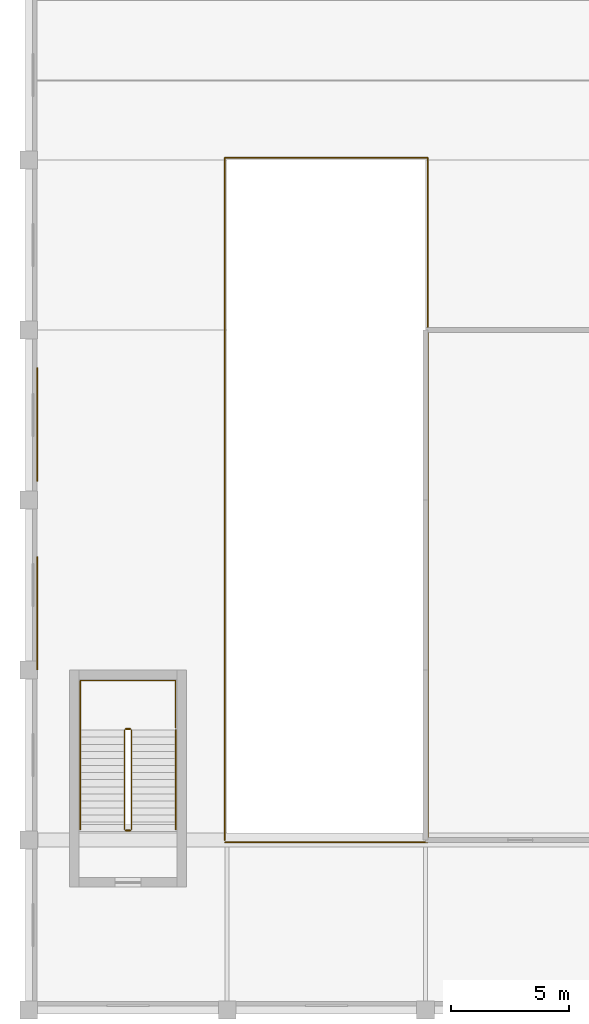
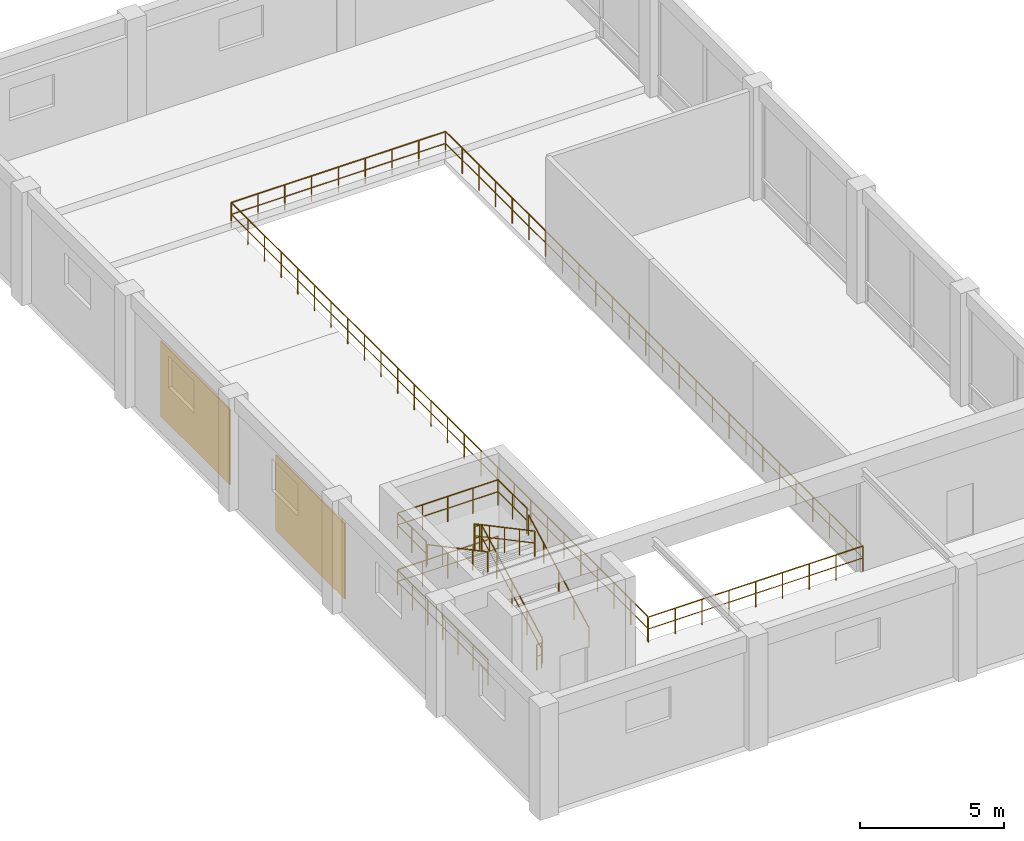
# One storey, part 44 of 52: 9 railings, 2 coverings.
"""IFC4 building model written with IfcOpenShell, lengths in metres."""

from ifc_helpers import new_model, si_unit, direction, frame, origin, origin_2d, place, context, subcontext, project, spatial, rectangle, circle, extrude, material, layer, layer_set, type_object, element, save


model = new_model("IFC4")

# Units and contexts
model_context = context("Model", 3, precision=1e-05, world=origin(), true_north=direction((0.0, 1.0)))
body_context = subcontext(model_context, "Body", "Model", "MODEL_VIEW")
ifc_project = project(units=[si_unit("LENGTHUNIT", "METRE"), si_unit("AREAUNIT", "SQUARE_METRE"), si_unit("VOLUMEUNIT", "CUBIC_METRE"), si_unit("PLANEANGLEUNIT", "RADIAN"), si_unit("MASSUNIT", "GRAM", prefix="KILO")], contexts=[model_context])

# Site, building, storey
site_placement = place(None, origin())
site = spatial("IfcSite", under=ifc_project, at=site_placement, CompositionType="ELEMENT")
building_placement = place(site_placement, origin())
building = spatial("IfcBuilding", under=site, at=building_placement, Name="Kenerak Square Central Library", CompositionType="ELEMENT")
storey_placement = place(building_placement, frame((0.0, 0.0, 4.800048828125)))
storey = spatial("IfcBuildingStorey", under=building, at=storey_placement, Name="L01", CompositionType="ELEMENT", Elevation=4.800048828125)

# Railing
ifc_material_1 = material(Name="Steel S355", Category="steel")
railing_type_1 = type_object("IfcRailingType", Name="Atrium Glazed Balustrade BL-1100 S355", PredefinedType="BALUSTRADE", material=ifc_material_1)
railing_1_placement = place(storey_placement, frame((16.300048828125, 38.300048828125, 0.0)))
element("IfcRailing", 1, at=railing_1_placement, inside=storey, type_object=railing_type_1, Name="Auditorium Gallery Balustrade L01", PredefinedType="BALUSTRADE", context=body_context, shape_type="SweptSolid", body=[
    extrude(circle(Radius=0.02392578125, at=origin_2d()), frame((0.0, 0.0, 1.076171875), z_axis=(1.0, 0.0, 0.0), x_axis=(0.0, 1.0, 0.0)), (0.0, 0.0, 1.0), 8.599853515625),
    extrude(circle(Radius=0.01806640625, at=origin_2d()), frame((0.0, 0.0, 0.572021484375), z_axis=(1.0, 0.0, 0.0), x_axis=(0.0, 1.0, 0.0)), (0.0, 0.0, 1.0), 8.599853515625),
    extrude(circle(Radius=0.02392578125, at=origin_2d()), frame((8.599853515625, 0.0, 1.076171875), z_axis=(0.0, 1.0, 0.0), x_axis=(-1.0, 0.0, 0.0)), (0.0, 0.0, 1.0), 29.0),
    extrude(circle(Radius=0.01806640625, at=origin_2d()), frame((8.599853515625, 0.0, 0.572021484375), z_axis=(0.0, 1.0, 0.0), x_axis=(-1.0, 0.0, 0.0)), (0.0, 0.0, 1.0), 29.0),
    extrude(circle(Radius=0.02392578125, at=origin_2d()), frame((8.599853515625, 29.0, 1.076171875), z_axis=(-1.0, 0.0, 0.0), x_axis=(0.0, -1.0, 0.0)), (0.0, 0.0, 1.0), 8.599853515625),
    extrude(circle(Radius=0.01806640625, at=origin_2d()), frame((8.599853515625, 29.0, 0.572021484375), z_axis=(-1.0, 0.0, 0.0), x_axis=(0.0, -1.0, 0.0)), (0.0, 0.0, 1.0), 8.599853515625),
    extrude(circle(Radius=0.02392578125, at=origin_2d()), frame((0.0, 29.0, 1.076171875), z_axis=(0.0, -1.0, 0.0), x_axis=(1.0, 0.0, 0.0)), (0.0, 0.0, 1.0), 28.920166015625),
    extrude(circle(Radius=0.01806640625, at=origin_2d()), frame((0.0, 29.0, 0.572021484375), z_axis=(0.0, -1.0, 0.0), x_axis=(1.0, 0.0, 0.0)), (0.0, 0.0, 1.0), 28.920166015625),
    extrude(circle(Radius=0.02099609375, at=origin_2d()), origin(), (0.0, 0.0, 1.0), 1.052001953125),
    extrude(circle(Radius=0.02099609375, at=origin_2d()), frame((1.074951171875, 0.0, 0.0)), (0.0, 0.0, 1.0), 1.052001953125),
    extrude(circle(Radius=0.02099609375, at=origin_2d()), frame((2.14990234375, 0.0, 0.0)), (0.0, 0.0, 1.0), 1.052001953125),
    extrude(circle(Radius=0.02099609375, at=origin_2d()), frame((3.224853515625, 0.0, 0.0)), (0.0, 0.0, 1.0), 1.052001953125),
    extrude(circle(Radius=0.02099609375, at=origin_2d()), frame((4.2998046875, 0.0, 0.0)), (0.0, 0.0, 1.0), 1.052001953125),
    extrude(circle(Radius=0.02099609375, at=origin_2d()), frame((5.375, 0.0, 0.0)), (0.0, 0.0, 1.0), 1.052001953125),
    extrude(circle(Radius=0.02099609375, at=origin_2d()), frame((6.449951171875, 0.0, 0.0)), (0.0, 0.0, 1.0), 1.052001953125),
    extrude(circle(Radius=0.02099609375, at=origin_2d()), frame((7.52490234375, 0.0, 0.0)), (0.0, 0.0, 1.0), 1.052001953125),
    extrude(circle(Radius=0.02099609375, at=origin_2d()), frame((8.599853515625, 0.0, 0.0)), (0.0, 0.0, 1.0), 1.052001953125),
    extrude(circle(Radius=0.02099609375, at=origin_2d()), frame((8.599853515625, 1.159912109375, 0.0)), (0.0, 0.0, 1.0), 1.052001953125),
    extrude(circle(Radius=0.02099609375, at=origin_2d()), frame((8.599853515625, 2.320068359375, 0.0)), (0.0, 0.0, 1.0), 1.052001953125),
    extrude(circle(Radius=0.02099609375, at=origin_2d()), frame((8.599853515625, 3.47998046875, 0.0)), (0.0, 0.0, 1.0), 1.052001953125),
    extrude(circle(Radius=0.02099609375, at=origin_2d()), frame((8.599853515625, 4.639892578125, 0.0)), (0.0, 0.0, 1.0), 1.052001953125),
    extrude(circle(Radius=0.02099609375, at=origin_2d()), frame((8.599853515625, 5.800048828125, 0.0)), (0.0, 0.0, 1.0), 1.052001953125),
    extrude(circle(Radius=0.02099609375, at=origin_2d()), frame((8.599853515625, 6.9599609375, 0.0)), (0.0, 0.0, 1.0), 1.052001953125),
    extrude(circle(Radius=0.02099609375, at=origin_2d()), frame((8.599853515625, 8.1201171875, 0.0)), (0.0, 0.0, 1.0), 1.052001953125),
    extrude(circle(Radius=0.02099609375, at=origin_2d()), frame((8.599853515625, 9.280029296875, 0.0)), (0.0, 0.0, 1.0), 1.052001953125),
    extrude(circle(Radius=0.02099609375, at=origin_2d()), frame((8.599853515625, 10.43994140625, 0.0)), (0.0, 0.0, 1.0), 1.052001953125),
    extrude(circle(Radius=0.02099609375, at=origin_2d()), frame((8.599853515625, 11.60009765625, 0.0)), (0.0, 0.0, 1.0), 1.052001953125),
    extrude(circle(Radius=0.02099609375, at=origin_2d()), frame((8.599853515625, 12.760009765625, 0.0)), (0.0, 0.0, 1.0), 1.052001953125),
    extrude(circle(Radius=0.02099609375, at=origin_2d()), frame((8.599853515625, 13.919921875, 0.0)), (0.0, 0.0, 1.0), 1.052001953125),
    extrude(circle(Radius=0.02099609375, at=origin_2d()), frame((8.599853515625, 15.080078125, 0.0)), (0.0, 0.0, 1.0), 1.052001953125),
    extrude(circle(Radius=0.02099609375, at=origin_2d()), frame((8.599853515625, 16.239990234375, 0.0)), (0.0, 0.0, 1.0), 1.052001953125),
    extrude(circle(Radius=0.02099609375, at=origin_2d()), frame((8.599853515625, 17.39990234375, 0.0)), (0.0, 0.0, 1.0), 1.052001953125),
    extrude(circle(Radius=0.02099609375, at=origin_2d()), frame((8.599853515625, 18.56005859375, 0.0)), (0.0, 0.0, 1.0), 1.052001953125),
    extrude(circle(Radius=0.02099609375, at=origin_2d()), frame((8.599853515625, 19.719970703125, 0.0)), (0.0, 0.0, 1.0), 1.052001953125),
    extrude(circle(Radius=0.02099609375, at=origin_2d()), frame((8.599853515625, 20.8798828125, 0.0)), (0.0, 0.0, 1.0), 1.052001953125),
    extrude(circle(Radius=0.02099609375, at=origin_2d()), frame((8.599853515625, 22.0400390625, 0.0)), (0.0, 0.0, 1.0), 1.052001953125),
    extrude(circle(Radius=0.02099609375, at=origin_2d()), frame((8.599853515625, 23.199951171875, 0.0)), (0.0, 0.0, 1.0), 1.052001953125),
    extrude(circle(Radius=0.02099609375, at=origin_2d()), frame((8.599853515625, 24.360107421875, 0.0)), (0.0, 0.0, 1.0), 1.052001953125),
    extrude(circle(Radius=0.02099609375, at=origin_2d()), frame((8.599853515625, 25.52001953125, 0.0)), (0.0, 0.0, 1.0), 1.052001953125),
    extrude(circle(Radius=0.02099609375, at=origin_2d()), frame((8.599853515625, 26.679931640625, 0.0)), (0.0, 0.0, 1.0), 1.052001953125),
    extrude(circle(Radius=0.02099609375, at=origin_2d()), frame((8.599853515625, 27.840087890625, 0.0)), (0.0, 0.0, 1.0), 1.052001953125),
    extrude(circle(Radius=0.02099609375, at=origin_2d()), frame((8.599853515625, 29.0, 0.0)), (0.0, 0.0, 1.0), 1.052001953125),
    extrude(circle(Radius=0.02099609375, at=origin_2d()), frame((7.52490234375, 29.0, 0.0)), (0.0, 0.0, 1.0), 1.052001953125),
    extrude(circle(Radius=0.02099609375, at=origin_2d()), frame((6.449951171875, 29.0, 0.0)), (0.0, 0.0, 1.0), 1.052001953125),
    extrude(circle(Radius=0.02099609375, at=origin_2d()), frame((5.375, 29.0, 0.0)), (0.0, 0.0, 1.0), 1.052001953125),
    extrude(circle(Radius=0.02099609375, at=origin_2d()), frame((4.2998046875, 29.0, 0.0)), (0.0, 0.0, 1.0), 1.052001953125),
    extrude(circle(Radius=0.02099609375, at=origin_2d()), frame((3.224853515625, 29.0, 0.0)), (0.0, 0.0, 1.0), 1.052001953125),
    extrude(circle(Radius=0.02099609375, at=origin_2d()), frame((2.14990234375, 29.0, 0.0)), (0.0, 0.0, 1.0), 1.052001953125),
    extrude(circle(Radius=0.02099609375, at=origin_2d()), frame((1.074951171875, 29.0, 0.0)), (0.0, 0.0, 1.0), 1.052001953125),
    extrude(circle(Radius=0.02099609375, at=origin_2d()), frame((0.0, 29.0, 0.0)), (0.0, 0.0, 1.0), 1.052001953125),
    extrude(circle(Radius=0.02099609375, at=origin_2d()), frame((0.0, 27.84326171875, 0.0)), (0.0, 0.0, 1.0), 1.052001953125),
    extrude(circle(Radius=0.02099609375, at=origin_2d()), frame((0.0, 26.686279296875, 0.0)), (0.0, 0.0, 1.0), 1.052001953125),
    extrude(circle(Radius=0.02099609375, at=origin_2d()), frame((0.0, 25.529541015625, 0.0)), (0.0, 0.0, 1.0), 1.052001953125),
    extrude(circle(Radius=0.02099609375, at=origin_2d()), frame((0.0, 24.372802734375, 0.0)), (0.0, 0.0, 1.0), 1.052001953125),
    extrude(circle(Radius=0.02099609375, at=origin_2d()), frame((0.0, 23.216064453125, 0.0)), (0.0, 0.0, 1.0), 1.052001953125),
    extrude(circle(Radius=0.02099609375, at=origin_2d()), frame((0.0, 22.05908203125, 0.0)), (0.0, 0.0, 1.0), 1.052001953125),
    extrude(circle(Radius=0.02099609375, at=origin_2d()), frame((0.0, 20.90234375, 0.0)), (0.0, 0.0, 1.0), 1.052001953125),
    extrude(circle(Radius=0.02099609375, at=origin_2d()), frame((0.0, 19.74560546875, 0.0)), (0.0, 0.0, 1.0), 1.052001953125),
    extrude(circle(Radius=0.02099609375, at=origin_2d()), frame((0.0, 18.588623046875, 0.0)), (0.0, 0.0, 1.0), 1.052001953125),
    extrude(circle(Radius=0.02099609375, at=origin_2d()), frame((0.0, 17.431884765625, 0.0)), (0.0, 0.0, 1.0), 1.052001953125),
    extrude(circle(Radius=0.02099609375, at=origin_2d()), frame((0.0, 16.275146484375, 0.0)), (0.0, 0.0, 1.0), 1.052001953125),
    extrude(circle(Radius=0.02099609375, at=origin_2d()), frame((0.0, 15.118408203125, 0.0)), (0.0, 0.0, 1.0), 1.052001953125),
    extrude(circle(Radius=0.02099609375, at=origin_2d()), frame((0.0, 13.96142578125, 0.0)), (0.0, 0.0, 1.0), 1.052001953125),
    extrude(circle(Radius=0.02099609375, at=origin_2d()), frame((0.0, 12.8046875, 0.0)), (0.0, 0.0, 1.0), 1.052001953125),
    extrude(circle(Radius=0.02099609375, at=origin_2d()), frame((0.0, 11.64794921875, 0.0)), (0.0, 0.0, 1.0), 1.052001953125),
    extrude(circle(Radius=0.02099609375, at=origin_2d()), frame((0.0, 10.4912109375, 0.0)), (0.0, 0.0, 1.0), 1.052001953125),
    extrude(circle(Radius=0.02099609375, at=origin_2d()), frame((0.0, 9.334228515625, 0.0)), (0.0, 0.0, 1.0), 1.052001953125),
    extrude(circle(Radius=0.02099609375, at=origin_2d()), frame((0.0, 8.177490234375, 0.0)), (0.0, 0.0, 1.0), 1.052001953125),
    extrude(circle(Radius=0.02099609375, at=origin_2d()), frame((0.0, 7.020751953125, 0.0)), (0.0, 0.0, 1.0), 1.052001953125),
    extrude(circle(Radius=0.02099609375, at=origin_2d()), frame((0.0, 5.86376953125, 0.0)), (0.0, 0.0, 1.0), 1.052001953125),
    extrude(circle(Radius=0.02099609375, at=origin_2d()), frame((0.0, 4.70703125, 0.0)), (0.0, 0.0, 1.0), 1.052001953125),
    extrude(circle(Radius=0.02099609375, at=origin_2d()), frame((0.0, 3.55029296875, 0.0)), (0.0, 0.0, 1.0), 1.052001953125),
    extrude(circle(Radius=0.02099609375, at=origin_2d()), frame((0.0, 2.3935546875, 0.0)), (0.0, 0.0, 1.0), 1.052001953125),
    extrude(circle(Radius=0.02099609375, at=origin_2d()), frame((0.0, 1.236572265625, 0.0)), (0.0, 0.0, 1.0), 1.052001953125),
    extrude(circle(Radius=0.02099609375, at=origin_2d()), frame((0.0, 0.079833984375, 0.0)), (0.0, 0.0, 1.0), 1.052001953125),
])

# Coverings
ifc_material_2 = material(Name="Chengal hardwood timber SG1", Category="wood")
ifc_layer = layer(ifc_material_2, 0.034912109375)
ifc_layer_set = layer_set([ifc_layer], Name="Chengal hardwood timber SG1")
covering_type = type_object("IfcCoveringType", Name="Fluted Chengal Acoustic Wall Cladding CV-CLAD", PredefinedType="CLADDING", material=ifc_layer_set)
for number, where, z_axis, x_axis, name in (
    (2, (8.35009765625, 48.0, 0.2001953125), (0.0, 0.0, 1.0), (1.0, 0.0, 0.0), "Chengal Acoustic Wall Cladding L01 04"),
    (3, (8.35009765625, 56.0, 0.2001953125), (0.0, 0.0, 1.0), (1.0, 0.0, 0.0), "Chengal Acoustic Wall Cladding L01 05"),
):
    element("IfcCovering", number, at=place(storey_placement, frame(where, z_axis=z_axis, x_axis=x_axis)), inside=storey, type_object=covering_type, Name=name, PredefinedType="CLADDING", context=body_context, shape_type="SweptSolid", body=[
        extrude(rectangle(XDim=0.050048828125, YDim=4.800048828125, at=origin_2d()), origin(), (0.0, 0.0, 1.0), 3.199951171875),
    ])

# Railings
railing_type_2 = type_object("IfcRailingType", Name="Safety Guardrail GR-1100 S355", PredefinedType="GUARDRAIL", material=ifc_material_1)
railing_2_placement = place(storey_placement, frame((12.35009765625, 38.85009765625, 0.159912109375)))
element("IfcRailing", 4, at=railing_2_placement, inside=storey, type_object=railing_type_2, Name="L01 ST-06 stair guard 1", PredefinedType="GUARDRAIL", context=body_context, shape_type="SweptSolid", body=[
    extrude(circle(Radius=0.02392578125, at=origin_2d()), frame((0.0, 0.0, 1.076171875), z_axis=(0.0, 0.882351521365, 0.470590897432), x_axis=(-1.0, 0.0, 0.0)), (0.0, 0.0, 1.0), 4.760009765625),
    extrude(circle(Radius=0.01806640625, at=origin_2d()), frame((0.0, 0.0, 0.572021484375), z_axis=(0.0, 0.882351521365, 0.470590897432), x_axis=(-1.0, 0.0, 0.0)), (0.0, 0.0, 1.0), 4.760009765625),
    extrude(circle(Radius=0.02099609375, at=origin_2d()), origin(), (0.0, 0.0, 1.0), 1.052001953125),
    extrude(circle(Radius=0.02099609375, at=origin_2d()), frame((0.0, 1.050048828125, 0.56005859375)), (0.0, 0.0, 1.0), 1.052001953125),
    extrude(circle(Radius=0.02099609375, at=origin_2d()), frame((0.0, 2.10009765625, 1.1201171875)), (0.0, 0.0, 1.0), 1.052001953125),
    extrude(circle(Radius=0.02099609375, at=origin_2d()), frame((0.0, 3.14990234375, 1.679931640625)), (0.0, 0.0, 1.0), 1.052001953125),
    extrude(circle(Radius=0.02099609375, at=origin_2d()), frame((0.0, 4.199951171875, 2.239990234375)), (0.0, 0.0, 1.0), 1.052001953125),
])
railing_3_placement = place(storey_placement, frame((12.300048828125, 43.10009765625, 2.39990234375)))
element("IfcRailing", 5, at=railing_3_placement, inside=storey, type_object=railing_type_2, Name="L01 ST-06 stair guard 2", PredefinedType="GUARDRAIL", context=body_context, shape_type="SweptSolid", body=[
    extrude(circle(Radius=0.02392578125, at=origin_2d()), frame((0.0, 0.0, 1.076171875), z_axis=(-1.0, 0.0, 0.0), x_axis=(0.0, -1.0, 0.0)), (0.0, 0.0, 1.0), 0.199951171875),
    extrude(circle(Radius=0.01806640625, at=origin_2d()), frame((0.0, 0.0, 0.572021484375), z_axis=(-1.0, 0.0, 0.0), x_axis=(0.0, -1.0, 0.0)), (0.0, 0.0, 1.0), 0.199951171875),
    extrude(circle(Radius=0.02099609375, at=origin_2d()), origin(), (0.0, 0.0, 1.0), 1.052001953125),
    extrude(circle(Radius=0.02099609375, at=origin_2d()), frame((-0.199951171875, 0.0, 0.0)), (0.0, 0.0, 1.0), 1.052001953125),
])
railing_4_placement = place(storey_placement, frame((12.050048828125, 43.050048828125, 2.56005859375)))
element("IfcRailing", 6, at=railing_4_placement, inside=storey, type_object=railing_type_2, Name="L01 ST-06 stair guard 3", PredefinedType="GUARDRAIL", context=body_context, shape_type="SweptSolid", body=[
    extrude(circle(Radius=0.02392578125, at=origin_2d()), frame((0.0, 0.0, 1.076171875), z_axis=(0.0, -0.882351521365, 0.470590897432), x_axis=(1.0, 0.0, 0.0)), (0.0, 0.0, 1.0), 4.760009765625),
    extrude(circle(Radius=0.01806640625, at=origin_2d()), frame((0.0, 0.0, 0.572021484375), z_axis=(0.0, -0.882351521365, 0.470590897432), x_axis=(1.0, 0.0, 0.0)), (0.0, 0.0, 1.0), 4.760009765625),
    extrude(circle(Radius=0.02099609375, at=origin_2d()), origin(), (0.0, 0.0, 1.0), 1.052001953125),
    extrude(circle(Radius=0.02099609375, at=origin_2d()), frame((0.0, -1.050048828125, 0.56005859375)), (0.0, 0.0, 1.0), 1.052001953125),
    extrude(circle(Radius=0.02099609375, at=origin_2d()), frame((0.0, -2.10009765625, 1.1201171875)), (0.0, 0.0, 1.0), 1.052001953125),
    extrude(circle(Radius=0.02099609375, at=origin_2d()), frame((0.0, -3.14990234375, 1.679931640625)), (0.0, 0.0, 1.0), 1.052001953125),
    extrude(circle(Radius=0.02099609375, at=origin_2d()), frame((0.0, -4.199951171875, 2.239990234375)), (0.0, 0.0, 1.0), 1.052001953125),
])
railing_5_placement = place(storey_placement, frame((12.300048828125, 38.800048828125, 0.0)))
element("IfcRailing", 7, at=railing_5_placement, inside=storey, type_object=railing_type_2, Name="L01 ST-06 stair guard 4", PredefinedType="GUARDRAIL", context=body_context, shape_type="SweptSolid", body=[
    extrude(circle(Radius=0.02392578125, at=origin_2d()), frame((0.0, 0.0, 1.076171875), z_axis=(-1.0, 0.0, 0.0), x_axis=(0.0, -1.0, 0.0)), (0.0, 0.0, 1.0), 0.199951171875),
    extrude(circle(Radius=0.01806640625, at=origin_2d()), frame((0.0, 0.0, 0.572021484375), z_axis=(-1.0, 0.0, 0.0), x_axis=(0.0, -1.0, 0.0)), (0.0, 0.0, 1.0), 0.199951171875),
    extrude(circle(Radius=0.02099609375, at=origin_2d()), origin(), (0.0, 0.0, 1.0), 1.052001953125),
    extrude(circle(Radius=0.02099609375, at=origin_2d()), frame((-0.199951171875, 0.0, 0.0)), (0.0, 0.0, 1.0), 1.052001953125),
])
railing_6_placement = place(storey_placement, frame((10.179931640625, 43.14990234375, 2.39990234375)))
element("IfcRailing", 8, at=railing_6_placement, inside=storey, type_object=railing_type_2, Name="Stair Half-Landing Guard ST-06 L01", PredefinedType="GUARDRAIL", context=body_context, shape_type="SweptSolid", body=[
    extrude(circle(Radius=0.02392578125, at=origin_2d()), frame((0.0, 0.0, 1.076171875), z_axis=(0.0, 1.0, 0.0), x_axis=(-1.0, 0.0, 0.0)), (0.0, 0.0, 1.0), 2.0),
    extrude(circle(Radius=0.01806640625, at=origin_2d()), frame((0.0, 0.0, 0.572021484375), z_axis=(0.0, 1.0, 0.0), x_axis=(-1.0, 0.0, 0.0)), (0.0, 0.0, 1.0), 2.0),
    extrude(circle(Radius=0.02392578125, at=origin_2d()), frame((0.0, 2.0, 1.076171875), z_axis=(1.0, 0.0, 0.0), x_axis=(0.0, 1.0, 0.0)), (0.0, 0.0, 1.0), 4.0400390625),
    extrude(circle(Radius=0.01806640625, at=origin_2d()), frame((0.0, 2.0, 0.572021484375), z_axis=(1.0, 0.0, 0.0), x_axis=(0.0, 1.0, 0.0)), (0.0, 0.0, 1.0), 4.0400390625),
    extrude(circle(Radius=0.02392578125, at=origin_2d()), frame((4.0400390625, 2.0, 1.076171875), z_axis=(0.0, -1.0, 0.0), x_axis=(1.0, 0.0, 0.0)), (0.0, 0.0, 1.0), 2.0),
    extrude(circle(Radius=0.01806640625, at=origin_2d()), frame((4.0400390625, 2.0, 0.572021484375), z_axis=(0.0, -1.0, 0.0), x_axis=(1.0, 0.0, 0.0)), (0.0, 0.0, 1.0), 2.0),
    extrude(circle(Radius=0.02099609375, at=origin_2d()), origin(), (0.0, 0.0, 1.0), 1.052001953125),
    extrude(circle(Radius=0.02099609375, at=origin_2d()), frame((0.0, 1.0, 0.0)), (0.0, 0.0, 1.0), 1.052001953125),
    extrude(circle(Radius=0.02099609375, at=origin_2d()), frame((0.0, 2.0, 0.0)), (0.0, 0.0, 1.0), 1.052001953125),
    extrude(circle(Radius=0.02099609375, at=origin_2d()), frame((1.010009765625, 2.0, 0.0)), (0.0, 0.0, 1.0), 1.052001953125),
    extrude(circle(Radius=0.02099609375, at=origin_2d()), frame((2.02001953125, 2.0, 0.0)), (0.0, 0.0, 1.0), 1.052001953125),
    extrude(circle(Radius=0.02099609375, at=origin_2d()), frame((3.030029296875, 2.0, 0.0)), (0.0, 0.0, 1.0), 1.052001953125),
    extrude(circle(Radius=0.02099609375, at=origin_2d()), frame((4.0400390625, 2.0, 0.0)), (0.0, 0.0, 1.0), 1.052001953125),
    extrude(circle(Radius=0.02099609375, at=origin_2d()), frame((4.0400390625, 1.0, 0.0)), (0.0, 0.0, 1.0), 1.052001953125),
    extrude(circle(Radius=0.02099609375, at=origin_2d()), frame((4.0400390625, 0.0, 0.0)), (0.0, 0.0, 1.0), 1.052001953125),
])
railing_7_placement = place(storey_placement, frame((10.179931640625, 38.85009765625, 0.0)))
element("IfcRailing", 9, at=railing_7_placement, inside=storey, type_object=railing_type_2, Name="Stair Well Floor Guard ST-06 L01", PredefinedType="GUARDRAIL", context=body_context, shape_type="SweptSolid", body=[
    extrude(circle(Radius=0.02392578125, at=origin_2d()), frame((0.0, 0.0, 1.076171875), z_axis=(0.0, 1.0, 0.0), x_axis=(-1.0, 0.0, 0.0)), (0.0, 0.0, 1.0), 6.2998046875),
    extrude(circle(Radius=0.01806640625, at=origin_2d()), frame((0.0, 0.0, 0.572021484375), z_axis=(0.0, 1.0, 0.0), x_axis=(-1.0, 0.0, 0.0)), (0.0, 0.0, 1.0), 6.2998046875),
    extrude(circle(Radius=0.02392578125, at=origin_2d()), frame((0.0, 6.2998046875, 1.076171875), z_axis=(1.0, 0.0, 0.0), x_axis=(0.0, 1.0, 0.0)), (0.0, 0.0, 1.0), 4.0400390625),
    extrude(circle(Radius=0.01806640625, at=origin_2d()), frame((0.0, 6.2998046875, 0.572021484375), z_axis=(1.0, 0.0, 0.0), x_axis=(0.0, 1.0, 0.0)), (0.0, 0.0, 1.0), 4.0400390625),
    extrude(circle(Radius=0.02099609375, at=origin_2d()), origin(), (0.0, 0.0, 1.0), 1.052001953125),
    extrude(circle(Radius=0.02099609375, at=origin_2d()), frame((0.0, 1.050048828125, 0.0)), (0.0, 0.0, 1.0), 1.052001953125),
    extrude(circle(Radius=0.02099609375, at=origin_2d()), frame((0.0, 2.099853515625, 0.0)), (0.0, 0.0, 1.0), 1.052001953125),
    extrude(circle(Radius=0.02099609375, at=origin_2d()), frame((0.0, 3.14990234375, 0.0)), (0.0, 0.0, 1.0), 1.052001953125),
    extrude(circle(Radius=0.02099609375, at=origin_2d()), frame((0.0, 4.199951171875, 0.0)), (0.0, 0.0, 1.0), 1.052001953125),
    extrude(circle(Radius=0.02099609375, at=origin_2d()), frame((0.0, 5.249755859375, 0.0)), (0.0, 0.0, 1.0), 1.052001953125),
    extrude(circle(Radius=0.02099609375, at=origin_2d()), frame((0.0, 6.2998046875, 0.0)), (0.0, 0.0, 1.0), 1.052001953125),
    extrude(circle(Radius=0.02099609375, at=origin_2d()), frame((1.010009765625, 6.2998046875, 0.0)), (0.0, 0.0, 1.0), 1.052001953125),
    extrude(circle(Radius=0.02099609375, at=origin_2d()), frame((2.02001953125, 6.2998046875, 0.0)), (0.0, 0.0, 1.0), 1.052001953125),
    extrude(circle(Radius=0.02099609375, at=origin_2d()), frame((3.030029296875, 6.2998046875, 0.0)), (0.0, 0.0, 1.0), 1.052001953125),
    extrude(circle(Radius=0.02099609375, at=origin_2d()), frame((4.0400390625, 6.2998046875, 0.0)), (0.0, 0.0, 1.0), 1.052001953125),
])
railing_type_3 = type_object("IfcRailingType", Name="Stair Handrail HR-880 S355", PredefinedType="HANDRAIL", material=ifc_material_1)
railing_8_placement = place(storey_placement, frame((14.22998046875, 38.85009765625, 0.159912109375)))
element("IfcRailing", 10, at=railing_8_placement, inside=storey, type_object=railing_type_3, Name="L01 ST-06 stair handrail 1", PredefinedType="HANDRAIL", context=body_context, shape_type="SweptSolid", body=[
    extrude(circle(Radius=0.02392578125, at=origin_2d()), frame((0.0, 0.0, 0.85595703125), z_axis=(0.0, 0.882351521365, 0.470590897432), x_axis=(-1.0, 0.0, 0.0)), (0.0, 0.0, 1.0), 4.760009765625),
    extrude(circle(Radius=0.02099609375, at=origin_2d()), origin(), (0.0, 0.0, 1.0), 0.831787109375),
    extrude(circle(Radius=0.02099609375, at=origin_2d()), frame((0.0, 1.050048828125, 0.56005859375)), (0.0, 0.0, 1.0), 0.831787109375),
    extrude(circle(Radius=0.02099609375, at=origin_2d()), frame((0.0, 2.10009765625, 1.1201171875)), (0.0, 0.0, 1.0), 0.831787109375),
    extrude(circle(Radius=0.02099609375, at=origin_2d()), frame((0.0, 3.14990234375, 1.679931640625)), (0.0, 0.0, 1.0), 0.831787109375),
    extrude(circle(Radius=0.02099609375, at=origin_2d()), frame((0.0, 4.199951171875, 2.239990234375)), (0.0, 0.0, 1.0), 0.831787109375),
])
railing_9_placement = place(storey_placement, frame((10.169921875, 43.050048828125, 2.56005859375)))
element("IfcRailing", 11, at=railing_9_placement, inside=storey, type_object=railing_type_3, Name="L01 ST-06 stair handrail 2", PredefinedType="HANDRAIL", context=body_context, shape_type="SweptSolid", body=[
    extrude(circle(Radius=0.02392578125, at=origin_2d()), frame((0.0, 0.0, 0.85595703125), z_axis=(0.0, -0.882351521365, 0.470590897432), x_axis=(1.0, 0.0, 0.0)), (0.0, 0.0, 1.0), 4.760009765625),
    extrude(circle(Radius=0.02099609375, at=origin_2d()), origin(), (0.0, 0.0, 1.0), 0.831787109375),
    extrude(circle(Radius=0.02099609375, at=origin_2d()), frame((0.0, -1.050048828125, 0.56005859375)), (0.0, 0.0, 1.0), 0.831787109375),
    extrude(circle(Radius=0.02099609375, at=origin_2d()), frame((0.0, -2.10009765625, 1.1201171875)), (0.0, 0.0, 1.0), 0.831787109375),
    extrude(circle(Radius=0.02099609375, at=origin_2d()), frame((0.0, -3.14990234375, 1.679931640625)), (0.0, 0.0, 1.0), 0.831787109375),
    extrude(circle(Radius=0.02099609375, at=origin_2d()), frame((0.0, -4.199951171875, 2.239990234375)), (0.0, 0.0, 1.0), 0.831787109375),
])

save(model, "model.ifc")
